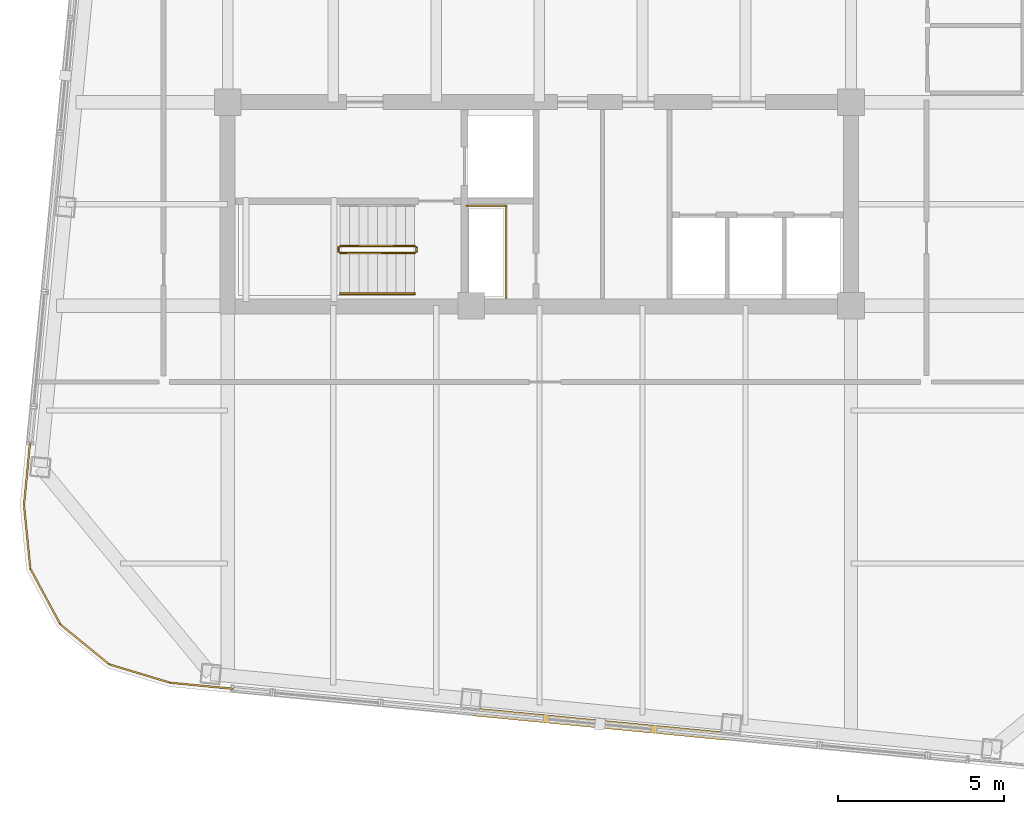
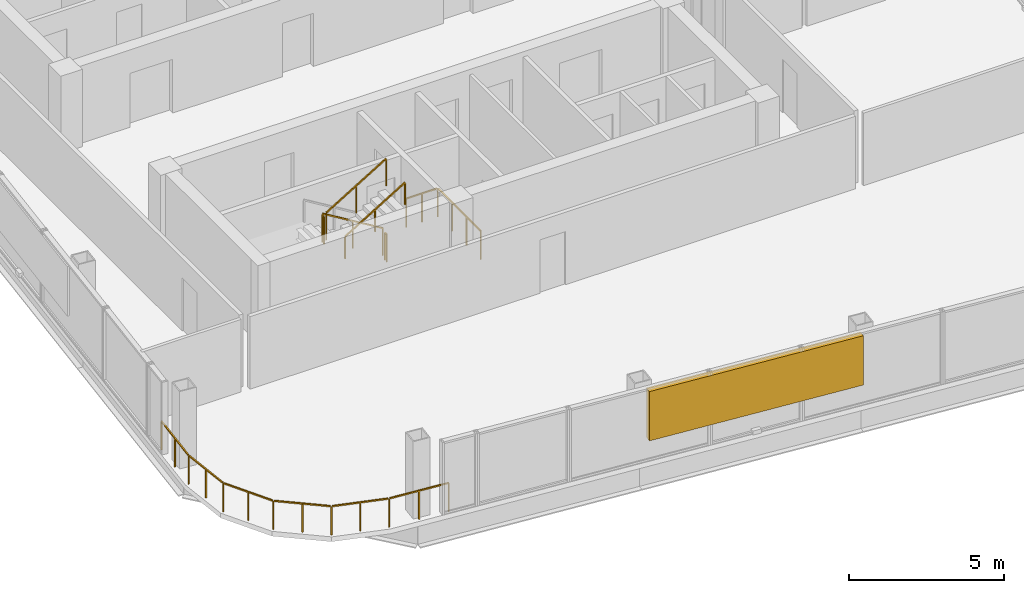
# One storey, part 19 of 22: 7 railings, 1 shading device.
"""IFC4 building model written with IfcOpenShell, lengths in metres."""

from ifc_helpers import new_model, si_unit, direction, frame, origin, origin_2d, place, context, subcontext, project, spatial, rectangle, extrude, material, type_object, element, save


model = new_model("IFC4")

# Units and contexts
model_context = context("Model", 3, precision=1e-05, world=origin(), true_north=direction((0.0, 1.0)))
body_context = subcontext(model_context, "Body", "Model", "MODEL_VIEW")
ifc_project = project(units=[si_unit("LENGTHUNIT", "METRE"), si_unit("AREAUNIT", "SQUARE_METRE"), si_unit("VOLUMEUNIT", "CUBIC_METRE"), si_unit("PLANEANGLEUNIT", "RADIAN"), si_unit("MASSUNIT", "GRAM", prefix="KILO")], contexts=[model_context])

# Site, building, storey
site_placement = place(None, origin())
site = spatial("IfcSite", under=ifc_project, at=site_placement, CompositionType="ELEMENT")
building_placement = place(site_placement, origin())
building = spatial("IfcBuilding", under=site, at=building_placement, Name="Qhalaya Broadcast Tower", CompositionType="ELEMENT")
storey_placement = place(building_placement, frame((0.0, 0.0, 245.89990234375)))
storey = spatial("IfcBuildingStorey", under=building, at=storey_placement, Name="L72", CompositionType="ELEMENT", Elevation=245.89990234375)

# Railings
ifc_material_1 = material(Name="Powder-Coated Galvanised Steel", Category="steel")
railing_type_1 = type_object("IfcRailingType", Name="Stair Wall Handrail 900", PredefinedType="HANDRAIL", material=ifc_material_1)
railing_1_placement = place(storey_placement, frame((-5.989990234375, -8.389892578125, 1.694580078125)))
element("IfcRailing", 1, at=railing_1_placement, inside=storey, type_object=railing_type_1, Name="L72 ST-2 Stair Handrail 2", PredefinedType="HANDRAIL", context=body_context, shape_type="SweptSolid", body=[
    extrude(rectangle(XDim=0.048095703125, YDim=0.048095703125, at=origin_2d()), frame((0.0, 0.0, 0.8759765625), z_axis=(0.855553338991, 0.0, 0.51771467445), x_axis=(0.0, 1.0, 0.0)), (0.0, 0.0, 1.0), 2.6181640625),
    extrude(rectangle(XDim=0.0419921875, YDim=0.0419921875, at=origin_2d()), origin(), (0.0, 0.0, 1.0), 0.849853515625),
    extrude(rectangle(XDim=0.0419921875, YDim=0.0419921875, at=origin_2d()), frame((1.1201171875, 0.0, 0.677734375)), (0.0, 0.0, 1.0), 0.849853515625),
    extrude(rectangle(XDim=0.0419921875, YDim=0.0419921875, at=origin_2d()), frame((2.239990234375, 0.0, 1.35546875)), (0.0, 0.0, 1.0), 0.849853515625),
])
railing_type_2 = type_object("IfcRailingType", Name="Stair Well & Landing Guardrail 1100", PredefinedType="GUARDRAIL", material=ifc_material_1)
railing_2_placement = place(storey_placement, frame((-1.0, -8.52001953125, 0.0)))
element("IfcRailing", 2, at=railing_2_placement, inside=storey, type_object=railing_type_2, Name="L72 Service Riser Opening Safety Guard SRSR", PredefinedType="GUARDRAIL", context=body_context, shape_type="SweptSolid", body=[
    extrude(rectangle(XDim=0.048095703125, YDim=0.048095703125, at=origin_2d()), frame((0.0, 0.0, 1.1259765625), z_axis=(0.0, 1.0, 0.0), x_axis=(-1.0, 0.0, 0.0)), (0.0, 0.0, 1.0), 2.751220703125),
    extrude(rectangle(XDim=0.048095703125, YDim=0.048095703125, at=origin_2d()), frame((-0.02880859375, 2.780029296875, 1.1259765625), z_axis=(-1.0, 0.0, 0.0), x_axis=(0.0, -1.0, 0.0)), (0.0, 0.0, 1.0), 1.151123046875),
    extrude(rectangle(XDim=0.0419921875, YDim=0.0419921875, at=origin_2d()), origin(), (0.0, 0.0, 1.0), 1.099853515625),
    extrude(rectangle(XDim=0.0419921875, YDim=0.0419921875, at=origin_2d()), frame((0.0, 0.9267578125, 0.0)), (0.0, 0.0, 1.0), 1.099853515625),
    extrude(rectangle(XDim=0.0419921875, YDim=0.0419921875, at=origin_2d()), frame((0.0, 1.853271484375, 0.0)), (0.0, 0.0, 1.0), 1.099853515625),
    extrude(rectangle(XDim=0.0419921875, YDim=0.0419921875, at=origin_2d()), frame((0.0, 2.780029296875, 0.0)), (0.0, 0.0, 1.0), 1.099853515625),
    extrude(rectangle(XDim=0.0419921875, YDim=0.0419921875, at=origin_2d()), frame((-0.58984375, 2.780029296875, 0.0)), (0.0, 0.0, 1.0), 1.099853515625),
    extrude(rectangle(XDim=0.0419921875, YDim=0.0419921875, at=origin_2d()), frame((-1.179931640625, 2.780029296875, 0.0)), (0.0, 0.0, 1.0), 1.099853515625),
])
railing_3_placement = place(storey_placement, frame((-3.75, -6.949951171875, 0.16943359375)))
element("IfcRailing", 3, at=railing_3_placement, inside=storey, type_object=railing_type_2, Name="L72 ST-2 Stair Guard 1", PredefinedType="GUARDRAIL", context=body_context, shape_type="SweptSolid", body=[
    extrude(rectangle(XDim=0.048095703125, YDim=0.048095703125, at=origin_2d()), frame((0.0, 0.0, 1.076171875), z_axis=(-0.855512035549, 0.0, 0.517782924622), x_axis=(0.0, -1.0, 0.0)), (0.0, 0.0, 1.0), 2.618408203125),
    extrude(rectangle(XDim=0.0419921875, YDim=0.0419921875, at=origin_2d()), origin(), (0.0, 0.0, 1.0), 1.050048828125),
    extrude(rectangle(XDim=0.0419921875, YDim=0.0419921875, at=origin_2d()), frame((-1.1201171875, 0.0, 0.677734375)), (0.0, 0.0, 1.0), 1.050048828125),
    extrude(rectangle(XDim=0.0419921875, YDim=0.0419921875, at=origin_2d()), frame((-2.239990234375, 0.0, 1.355712890625)), (0.0, 0.0, 1.0), 1.050048828125),
])
railing_4_placement = place(storey_placement, frame((-6.0400390625, -7.0, 1.525146484375)))
element("IfcRailing", 4, at=railing_4_placement, inside=storey, type_object=railing_type_2, Name="L72 ST-2 Stair Guard 2", PredefinedType="GUARDRAIL", context=body_context, shape_type="SweptSolid", body=[
    extrude(rectangle(XDim=0.048095703125, YDim=0.048095703125, at=origin_2d()), frame((0.0, 0.0, 1.076171875), z_axis=(0.0, -1.0, 0.0), x_axis=(1.0, 0.0, 0.0)), (0.0, 0.0, 1.0), 0.1201171875),
    extrude(rectangle(XDim=0.0419921875, YDim=0.0419921875, at=origin_2d()), origin(), (0.0, 0.0, 1.0), 1.050048828125),
    extrude(rectangle(XDim=0.0419921875, YDim=0.0419921875, at=origin_2d()), frame((0.0, -0.1201171875, 0.0)), (0.0, 0.0, 1.0), 1.050048828125),
])
railing_5_placement = place(storey_placement, frame((-5.989990234375, -7.169921875, 1.694580078125)))
element("IfcRailing", 5, at=railing_5_placement, inside=storey, type_object=railing_type_2, Name="L72 ST-2 Stair Guard 3", PredefinedType="GUARDRAIL", context=body_context, shape_type="SweptSolid", body=[
    extrude(rectangle(XDim=0.048095703125, YDim=0.048095703125, at=origin_2d()), frame((0.0, 0.0, 1.076171875), z_axis=(0.855553338991, 0.0, 0.51771467445), x_axis=(0.0, 1.0, 0.0)), (0.0, 0.0, 1.0), 2.6181640625),
    extrude(rectangle(XDim=0.0419921875, YDim=0.0419921875, at=origin_2d()), origin(), (0.0, 0.0, 1.0), 1.050048828125),
    extrude(rectangle(XDim=0.0419921875, YDim=0.0419921875, at=origin_2d()), frame((1.1201171875, 0.0, 0.677734375)), (0.0, 0.0, 1.0), 1.050048828125),
    extrude(rectangle(XDim=0.0419921875, YDim=0.0419921875, at=origin_2d()), frame((2.239990234375, 0.0, 1.35546875)), (0.0, 0.0, 1.0), 1.050048828125),
])
railing_6_placement = place(storey_placement, frame((-3.699951171875, -7.0, 0.0)))
element("IfcRailing", 6, at=railing_6_placement, inside=storey, type_object=railing_type_2, Name="L72 ST-2 Stair Guard 4", PredefinedType="GUARDRAIL", context=body_context, shape_type="SweptSolid", body=[
    extrude(rectangle(XDim=0.048095703125, YDim=0.048095703125, at=origin_2d()), frame((0.0, 0.0, 1.076171875), z_axis=(0.0, -1.0, 0.0), x_axis=(1.0, 0.0, 0.0)), (0.0, 0.0, 1.0), 0.1201171875),
    extrude(rectangle(XDim=0.0419921875, YDim=0.0419921875, at=origin_2d()), origin(), (0.0, 0.0, 1.0), 1.050048828125),
    extrude(rectangle(XDim=0.0419921875, YDim=0.0419921875, at=origin_2d()), frame((0.0, -0.1201171875, 0.0)), (0.0, 0.0, 1.0), 1.050048828125),
])
railing_type_3 = type_object("IfcRailingType", Name="Terrace, Sky-Pool & Lookout Glass Balustrade 1150", PredefinedType="BALUSTRADE", material=ifc_material_1)
railing_7_placement = place(storey_placement, frame((-8.99365234375, -20.2958984375, 0.0)))
element("IfcRailing", 7, at=railing_7_placement, inside=storey, type_object=railing_type_3, Name="L72 Rounded Corner Perimeter Guard 02", PredefinedType="BALUSTRADE", context=body_context, shape_type="SweptSolid", body=[
    extrude(rectangle(XDim=0.048095703125, YDim=0.048095703125, at=origin_2d()), frame((0.0, 0.0, 1.1259765625), z_axis=(-0.995391273094, 0.095896889673, 0.0), x_axis=(-0.095896889673, -0.995391273094, 0.0)), (0.0, 0.0, 1.0), 2.08935546875),
    extrude(rectangle(XDim=0.048095703125, YDim=0.048095703125, at=origin_2d()), frame((-2.135986328125, 0.21142578125, 1.1259765625), z_axis=(-0.957601447485, 0.288096282124, 0.0), x_axis=(-0.288096282124, -0.957601447485, 0.0)), (0.0, 0.0, 1.0), 1.857421875),
    extrude(rectangle(XDim=0.048095703125, YDim=0.048095703125, at=origin_2d()), frame((-3.96484375, 0.773193359375, 1.1259765625), z_axis=(-0.774357190213, 0.63274871945, 0.0), x_axis=(-0.63274871945, -0.774357190213, 0.0)), (0.0, 0.0, 1.0), 1.845703125),
    extrude(rectangle(XDim=0.048095703125, YDim=0.048095703125, at=origin_2d()), frame((-5.429931640625, 1.984619140625, 1.1259765625), z_axis=(-0.473342342286, 0.880878554058, 0.0), x_axis=(-0.880878554058, -0.473342342286, 0.0)), (0.0, 0.0, 1.0), 1.845458984375),
    extrude(rectangle(XDim=0.048095703125, YDim=0.048095703125, at=origin_2d()), frame((-6.320068359375, 3.66455078125, 1.1259765625), z_axis=(-0.100071682341, 0.994980230152, 0.0), x_axis=(-0.994980230152, -0.100071682341, 0.0)), (0.0, 0.0, 1.0), 1.857421875),
    extrude(rectangle(XDim=0.048095703125, YDim=0.048095703125, at=origin_2d()), frame((-6.506103515625, 5.570068359375, 1.1259765625), z_axis=(0.095782687057, 0.995402268864, 0.0), x_axis=(-0.995402268864, 0.095782687057, 0.0)), (0.0, 0.0, 1.0), 2.08935546875),
    extrude(rectangle(XDim=0.0419921875, YDim=0.0419921875, at=origin_2d()), origin(), (0.0, 0.0, 1.0), 1.099853515625),
    extrude(rectangle(XDim=0.0419921875, YDim=0.0419921875, at=origin_2d()), frame((-1.05419921875, 0.1015625, 0.0)), (0.0, 0.0, 1.0), 1.099853515625),
    extrude(rectangle(XDim=0.0419921875, YDim=0.0419921875, at=origin_2d()), frame((-2.1083984375, 0.203125, 0.0)), (0.0, 0.0, 1.0), 1.099853515625),
    extrude(rectangle(XDim=0.0419921875, YDim=0.0419921875, at=origin_2d()), frame((-3.025390625, 0.47900390625, 0.0)), (0.0, 0.0, 1.0), 1.099853515625),
    extrude(rectangle(XDim=0.0419921875, YDim=0.0419921875, at=origin_2d()), frame((-3.9423828125, 0.7548828125, 0.0)), (0.0, 0.0, 1.0), 1.099853515625),
    extrude(rectangle(XDim=0.0419921875, YDim=0.0419921875, at=origin_2d()), frame((-4.67919921875, 1.35693359375, 0.0)), (0.0, 0.0, 1.0), 1.099853515625),
    extrude(rectangle(XDim=0.0419921875, YDim=0.0419921875, at=origin_2d()), frame((-5.416259765625, 1.959228515625, 0.0)), (0.0, 0.0, 1.0), 1.099853515625),
    extrude(rectangle(XDim=0.0419921875, YDim=0.0419921875, at=origin_2d()), frame((-5.86669921875, 2.79736328125, 0.0)), (0.0, 0.0, 1.0), 1.099853515625),
    extrude(rectangle(XDim=0.0419921875, YDim=0.0419921875, at=origin_2d()), frame((-6.317138671875, 3.6357421875, 0.0)), (0.0, 0.0, 1.0), 1.099853515625),
    extrude(rectangle(XDim=0.0419921875, YDim=0.0419921875, at=origin_2d()), frame((-6.4130859375, 4.58837890625, 0.0)), (0.0, 0.0, 1.0), 1.099853515625),
    extrude(rectangle(XDim=0.0419921875, YDim=0.0419921875, at=origin_2d()), frame((-6.5087890625, 5.541259765625, 0.0)), (0.0, 0.0, 1.0), 1.099853515625),
    extrude(rectangle(XDim=0.0419921875, YDim=0.0419921875, at=origin_2d()), frame((-6.4072265625, 6.595458984375, 0.0)), (0.0, 0.0, 1.0), 1.099853515625),
    extrude(rectangle(XDim=0.0419921875, YDim=0.0419921875, at=origin_2d()), frame((-6.305908203125, 7.649658203125, 0.0)), (0.0, 0.0, 1.0), 1.099853515625),
])

# Shading device
ifc_material_2 = material(Name="Fired Architectural Terracotta", Category="masonry")
shading_device_type = type_object("IfcShadingDeviceType", Name="Terracotta Baguette Solar Screen Assembly TBS-01", PredefinedType="USERDEFINED", material=ifc_material_2)
shading_device_placement = place(storey_placement, frame((1.826171875, -21.337646484375, 0.80078125), z_axis=(0.0, 0.0, 1.0), x_axis=(0.995396198367, -0.09584575252, 0.0)))
element("IfcShadingDevice", 8, at=shading_device_placement, inside=storey, type_object=shading_device_type, Name="L72 Fired Terracotta Baguette Screen S", ObjectType="BAGUETTE", PredefinedType="USERDEFINED", context=body_context, shape_type="SweptSolid", body=[
    extrude(rectangle(XDim=7.60009765625, YDim=0.239990234375, at=origin_2d()), origin(), (0.0, 0.0, 1.0), 1.945068359375),
])

save(model, "model.ifc")
